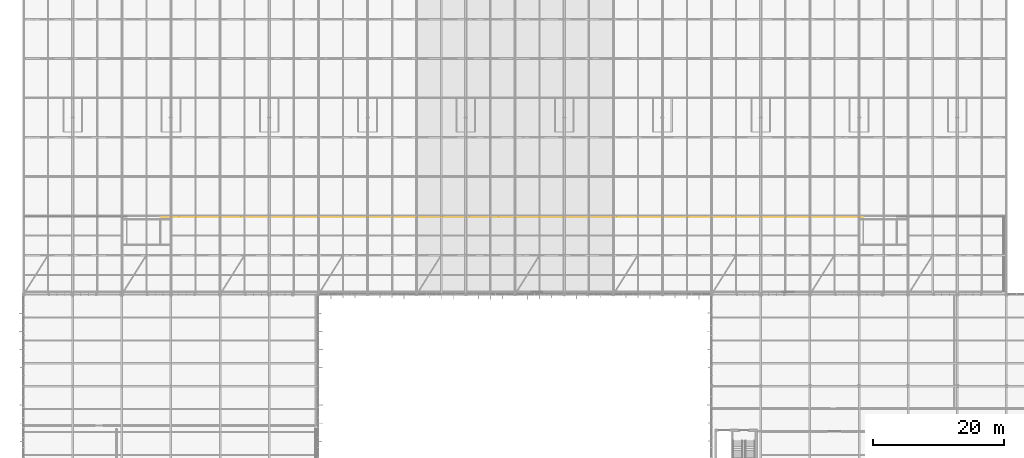
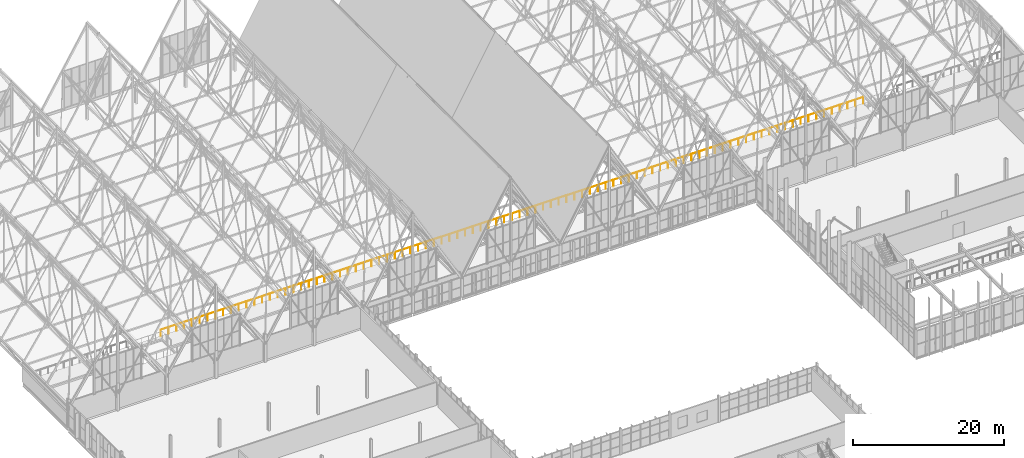
# One storey, part 320 of 324: 1 railing.
"""IFC4 building model written with IfcOpenShell, lengths in metres."""

from ifc_helpers import new_model, si_unit, direction, frame, origin, origin_2d, place, context, subcontext, project, spatial, circle, extrude, material, type_object, element, save


model = new_model("IFC4")

# Units and contexts
model_context = context("Model", 3, precision=1e-05, world=origin(), true_north=direction((0.0, 1.0)))
body_context = subcontext(model_context, "Body", "Model", "MODEL_VIEW")
ifc_project = project(units=[si_unit("LENGTHUNIT", "METRE"), si_unit("AREAUNIT", "SQUARE_METRE"), si_unit("VOLUMEUNIT", "CUBIC_METRE"), si_unit("PLANEANGLEUNIT", "RADIAN"), si_unit("MASSUNIT", "GRAM", prefix="KILO")], contexts=[model_context])

# Site, building, storey
site_placement = place(None, origin())
site = spatial("IfcSite", under=ifc_project, at=site_placement, CompositionType="ELEMENT")
building_placement = place(site_placement, origin())
building = spatial("IfcBuilding", under=site, at=building_placement, Name="Solvenia Promenade Tram Depot", CompositionType="ELEMENT")
storey_placement = place(building_placement, frame((0.0, 0.0, 4.5)))
storey = spatial("IfcBuildingStorey", under=building, at=storey_placement, Name="L01", CompositionType="ELEMENT", Elevation=4.5)

# Railing
ifc_material = material(Name="Anodized aluminium AW-6063 T6", Category="aluminium")
railing_type = type_object("IfcRailingType", Name="Guard-Terrace-1100", PredefinedType="GUARDRAIL", material=ifc_material)
railing_placement = place(storey_placement, frame((20.93994140625, 77.85009765625, 0.0)))
element("IfcRailing", 1, at=railing_placement, inside=storey, type_object=railing_type, Name="Safety Guardrail GR-WALK-V1-M", PredefinedType="GUARDRAIL", context=body_context, shape_type="SweptSolid", body=[
    extrude(circle(Radius=0.02392578125, at=origin_2d()), frame((0.0, 0.0, 1.09619140625), z_axis=(1.0, 0.0, 0.0), x_axis=(0.0, 1.0, 0.0)), (0.0, 0.0, 1.0), 107.2099609375),
    extrude(circle(Radius=0.02099609375, at=origin_2d()), origin(), (0.0, 0.0, 1.0), 1.072021484375),
    extrude(circle(Radius=0.02099609375, at=origin_2d()), frame((1.191162109375, 0.0, 0.0)), (0.0, 0.0, 1.0), 1.072021484375),
    extrude(circle(Radius=0.02099609375, at=origin_2d()), frame((2.38232421875, 0.0, 0.0)), (0.0, 0.0, 1.0), 1.072021484375),
    extrude(circle(Radius=0.02099609375, at=origin_2d()), frame((3.57373046875, 0.0, 0.0)), (0.0, 0.0, 1.0), 1.072021484375),
    extrude(circle(Radius=0.02099609375, at=origin_2d()), frame((4.764892578125, 0.0, 0.0)), (0.0, 0.0, 1.0), 1.072021484375),
    extrude(circle(Radius=0.02099609375, at=origin_2d()), frame((5.9560546875, 0.0, 0.0)), (0.0, 0.0, 1.0), 1.072021484375),
    extrude(circle(Radius=0.02099609375, at=origin_2d()), frame((7.147216796875, 0.0, 0.0)), (0.0, 0.0, 1.0), 1.072021484375),
    extrude(circle(Radius=0.02099609375, at=origin_2d()), frame((8.338623046875, 0.0, 0.0)), (0.0, 0.0, 1.0), 1.072021484375),
    extrude(circle(Radius=0.02099609375, at=origin_2d()), frame((9.52978515625, 0.0, 0.0)), (0.0, 0.0, 1.0), 1.072021484375),
    extrude(circle(Radius=0.02099609375, at=origin_2d()), frame((10.720947265625, 0.0, 0.0)), (0.0, 0.0, 1.0), 1.072021484375),
    extrude(circle(Radius=0.02099609375, at=origin_2d()), frame((11.912109375, 0.0, 0.0)), (0.0, 0.0, 1.0), 1.072021484375),
    extrude(circle(Radius=0.02099609375, at=origin_2d()), frame((13.103515625, 0.0, 0.0)), (0.0, 0.0, 1.0), 1.072021484375),
    extrude(circle(Radius=0.02099609375, at=origin_2d()), frame((14.294677734375, 0.0, 0.0)), (0.0, 0.0, 1.0), 1.072021484375),
    extrude(circle(Radius=0.02099609375, at=origin_2d()), frame((15.48583984375, 0.0, 0.0)), (0.0, 0.0, 1.0), 1.072021484375),
    extrude(circle(Radius=0.02099609375, at=origin_2d()), frame((16.677001953125, 0.0, 0.0)), (0.0, 0.0, 1.0), 1.072021484375),
    extrude(circle(Radius=0.02099609375, at=origin_2d()), frame((17.868408203125, 0.0, 0.0)), (0.0, 0.0, 1.0), 1.072021484375),
    extrude(circle(Radius=0.02099609375, at=origin_2d()), frame((19.0595703125, 0.0, 0.0)), (0.0, 0.0, 1.0), 1.072021484375),
    extrude(circle(Radius=0.02099609375, at=origin_2d()), frame((20.250732421875, 0.0, 0.0)), (0.0, 0.0, 1.0), 1.072021484375),
    extrude(circle(Radius=0.02099609375, at=origin_2d()), frame((21.44189453125, 0.0, 0.0)), (0.0, 0.0, 1.0), 1.072021484375),
    extrude(circle(Radius=0.02099609375, at=origin_2d()), frame((22.63330078125, 0.0, 0.0)), (0.0, 0.0, 1.0), 1.072021484375),
    extrude(circle(Radius=0.02099609375, at=origin_2d()), frame((23.824462890625, 0.0, 0.0)), (0.0, 0.0, 1.0), 1.072021484375),
    extrude(circle(Radius=0.02099609375, at=origin_2d()), frame((25.015625, 0.0, 0.0)), (0.0, 0.0, 1.0), 1.072021484375),
    extrude(circle(Radius=0.02099609375, at=origin_2d()), frame((26.206787109375, 0.0, 0.0)), (0.0, 0.0, 1.0), 1.072021484375),
    extrude(circle(Radius=0.02099609375, at=origin_2d()), frame((27.398193359375, 0.0, 0.0)), (0.0, 0.0, 1.0), 1.072021484375),
    extrude(circle(Radius=0.02099609375, at=origin_2d()), frame((28.58935546875, 0.0, 0.0)), (0.0, 0.0, 1.0), 1.072021484375),
    extrude(circle(Radius=0.02099609375, at=origin_2d()), frame((29.780517578125, 0.0, 0.0)), (0.0, 0.0, 1.0), 1.072021484375),
    extrude(circle(Radius=0.02099609375, at=origin_2d()), frame((30.9716796875, 0.0, 0.0)), (0.0, 0.0, 1.0), 1.072021484375),
    extrude(circle(Radius=0.02099609375, at=origin_2d()), frame((32.1630859375, 0.0, 0.0)), (0.0, 0.0, 1.0), 1.072021484375),
    extrude(circle(Radius=0.02099609375, at=origin_2d()), frame((33.354248046875, 0.0, 0.0)), (0.0, 0.0, 1.0), 1.072021484375),
    extrude(circle(Radius=0.02099609375, at=origin_2d()), frame((34.54541015625, 0.0, 0.0)), (0.0, 0.0, 1.0), 1.072021484375),
    extrude(circle(Radius=0.02099609375, at=origin_2d()), frame((35.736572265625, 0.0, 0.0)), (0.0, 0.0, 1.0), 1.072021484375),
    extrude(circle(Radius=0.02099609375, at=origin_2d()), frame((36.927978515625, 0.0, 0.0)), (0.0, 0.0, 1.0), 1.072021484375),
    extrude(circle(Radius=0.02099609375, at=origin_2d()), frame((38.119140625, 0.0, 0.0)), (0.0, 0.0, 1.0), 1.072021484375),
    extrude(circle(Radius=0.02099609375, at=origin_2d()), frame((39.310302734375, 0.0, 0.0)), (0.0, 0.0, 1.0), 1.072021484375),
    extrude(circle(Radius=0.02099609375, at=origin_2d()), frame((40.50146484375, 0.0, 0.0)), (0.0, 0.0, 1.0), 1.072021484375),
    extrude(circle(Radius=0.02099609375, at=origin_2d()), frame((41.69287109375, 0.0, 0.0)), (0.0, 0.0, 1.0), 1.072021484375),
    extrude(circle(Radius=0.02099609375, at=origin_2d()), frame((42.884033203125, 0.0, 0.0)), (0.0, 0.0, 1.0), 1.072021484375),
    extrude(circle(Radius=0.02099609375, at=origin_2d()), frame((44.0751953125, 0.0, 0.0)), (0.0, 0.0, 1.0), 1.072021484375),
    extrude(circle(Radius=0.02099609375, at=origin_2d()), frame((45.266357421875, 0.0, 0.0)), (0.0, 0.0, 1.0), 1.072021484375),
    extrude(circle(Radius=0.02099609375, at=origin_2d()), frame((46.457763671875, 0.0, 0.0)), (0.0, 0.0, 1.0), 1.072021484375),
    extrude(circle(Radius=0.02099609375, at=origin_2d()), frame((47.64892578125, 0.0, 0.0)), (0.0, 0.0, 1.0), 1.072021484375),
    extrude(circle(Radius=0.02099609375, at=origin_2d()), frame((48.840087890625, 0.0, 0.0)), (0.0, 0.0, 1.0), 1.072021484375),
    extrude(circle(Radius=0.02099609375, at=origin_2d()), frame((50.03125, 0.0, 0.0)), (0.0, 0.0, 1.0), 1.072021484375),
    extrude(circle(Radius=0.02099609375, at=origin_2d()), frame((51.22265625, 0.0, 0.0)), (0.0, 0.0, 1.0), 1.072021484375),
    extrude(circle(Radius=0.02099609375, at=origin_2d()), frame((52.413818359375, 0.0, 0.0)), (0.0, 0.0, 1.0), 1.072021484375),
    extrude(circle(Radius=0.02099609375, at=origin_2d()), frame((53.60498046875, 0.0, 0.0)), (0.0, 0.0, 1.0), 1.072021484375),
    extrude(circle(Radius=0.02099609375, at=origin_2d()), frame((54.796142578125, 0.0, 0.0)), (0.0, 0.0, 1.0), 1.072021484375),
    extrude(circle(Radius=0.02099609375, at=origin_2d()), frame((55.9873046875, 0.0, 0.0)), (0.0, 0.0, 1.0), 1.072021484375),
    extrude(circle(Radius=0.02099609375, at=origin_2d()), frame((57.1787109375, 0.0, 0.0)), (0.0, 0.0, 1.0), 1.072021484375),
    extrude(circle(Radius=0.02099609375, at=origin_2d()), frame((58.369873046875, 0.0, 0.0)), (0.0, 0.0, 1.0), 1.072021484375),
    extrude(circle(Radius=0.02099609375, at=origin_2d()), frame((59.56103515625, 0.0, 0.0)), (0.0, 0.0, 1.0), 1.072021484375),
    extrude(circle(Radius=0.02099609375, at=origin_2d()), frame((60.752197265625, 0.0, 0.0)), (0.0, 0.0, 1.0), 1.072021484375),
    extrude(circle(Radius=0.02099609375, at=origin_2d()), frame((61.943603515625, 0.0, 0.0)), (0.0, 0.0, 1.0), 1.072021484375),
    extrude(circle(Radius=0.02099609375, at=origin_2d()), frame((63.134765625, 0.0, 0.0)), (0.0, 0.0, 1.0), 1.072021484375),
    extrude(circle(Radius=0.02099609375, at=origin_2d()), frame((64.325927734375, 0.0, 0.0)), (0.0, 0.0, 1.0), 1.072021484375),
    extrude(circle(Radius=0.02099609375, at=origin_2d()), frame((65.51708984375, 0.0, 0.0)), (0.0, 0.0, 1.0), 1.072021484375),
    extrude(circle(Radius=0.02099609375, at=origin_2d()), frame((66.70849609375, 0.0, 0.0)), (0.0, 0.0, 1.0), 1.072021484375),
    extrude(circle(Radius=0.02099609375, at=origin_2d()), frame((67.899658203125, 0.0, 0.0)), (0.0, 0.0, 1.0), 1.072021484375),
    extrude(circle(Radius=0.02099609375, at=origin_2d()), frame((69.0908203125, 0.0, 0.0)), (0.0, 0.0, 1.0), 1.072021484375),
    extrude(circle(Radius=0.02099609375, at=origin_2d()), frame((70.281982421875, 0.0, 0.0)), (0.0, 0.0, 1.0), 1.072021484375),
    extrude(circle(Radius=0.02099609375, at=origin_2d()), frame((71.473388671875, 0.0, 0.0)), (0.0, 0.0, 1.0), 1.072021484375),
    extrude(circle(Radius=0.02099609375, at=origin_2d()), frame((72.66455078125, 0.0, 0.0)), (0.0, 0.0, 1.0), 1.072021484375),
    extrude(circle(Radius=0.02099609375, at=origin_2d()), frame((73.855712890625, 0.0, 0.0)), (0.0, 0.0, 1.0), 1.072021484375),
    extrude(circle(Radius=0.02099609375, at=origin_2d()), frame((75.046875, 0.0, 0.0)), (0.0, 0.0, 1.0), 1.072021484375),
    extrude(circle(Radius=0.02099609375, at=origin_2d()), frame((76.23828125, 0.0, 0.0)), (0.0, 0.0, 1.0), 1.072021484375),
    extrude(circle(Radius=0.02099609375, at=origin_2d()), frame((77.429443359375, 0.0, 0.0)), (0.0, 0.0, 1.0), 1.072021484375),
    extrude(circle(Radius=0.02099609375, at=origin_2d()), frame((78.62060546875, 0.0, 0.0)), (0.0, 0.0, 1.0), 1.072021484375),
    extrude(circle(Radius=0.02099609375, at=origin_2d()), frame((79.811767578125, 0.0, 0.0)), (0.0, 0.0, 1.0), 1.072021484375),
    extrude(circle(Radius=0.02099609375, at=origin_2d()), frame((81.003173828125, 0.0, 0.0)), (0.0, 0.0, 1.0), 1.072021484375),
    extrude(circle(Radius=0.02099609375, at=origin_2d()), frame((82.1943359375, 0.0, 0.0)), (0.0, 0.0, 1.0), 1.072021484375),
    extrude(circle(Radius=0.02099609375, at=origin_2d()), frame((83.385498046875, 0.0, 0.0)), (0.0, 0.0, 1.0), 1.072021484375),
    extrude(circle(Radius=0.02099609375, at=origin_2d()), frame((84.57666015625, 0.0, 0.0)), (0.0, 0.0, 1.0), 1.072021484375),
    extrude(circle(Radius=0.02099609375, at=origin_2d()), frame((85.76806640625, 0.0, 0.0)), (0.0, 0.0, 1.0), 1.072021484375),
    extrude(circle(Radius=0.02099609375, at=origin_2d()), frame((86.959228515625, 0.0, 0.0)), (0.0, 0.0, 1.0), 1.072021484375),
    extrude(circle(Radius=0.02099609375, at=origin_2d()), frame((88.150390625, 0.0, 0.0)), (0.0, 0.0, 1.0), 1.072021484375),
    extrude(circle(Radius=0.02099609375, at=origin_2d()), frame((89.341552734375, 0.0, 0.0)), (0.0, 0.0, 1.0), 1.072021484375),
    extrude(circle(Radius=0.02099609375, at=origin_2d()), frame((90.532958984375, 0.0, 0.0)), (0.0, 0.0, 1.0), 1.072021484375),
    extrude(circle(Radius=0.02099609375, at=origin_2d()), frame((91.72412109375, 0.0, 0.0)), (0.0, 0.0, 1.0), 1.072021484375),
    extrude(circle(Radius=0.02099609375, at=origin_2d()), frame((92.915283203125, 0.0, 0.0)), (0.0, 0.0, 1.0), 1.072021484375),
    extrude(circle(Radius=0.02099609375, at=origin_2d()), frame((94.1064453125, 0.0, 0.0)), (0.0, 0.0, 1.0), 1.072021484375),
    extrude(circle(Radius=0.02099609375, at=origin_2d()), frame((95.2978515625, 0.0, 0.0)), (0.0, 0.0, 1.0), 1.072021484375),
    extrude(circle(Radius=0.02099609375, at=origin_2d()), frame((96.489013671875, 0.0, 0.0)), (0.0, 0.0, 1.0), 1.072021484375),
    extrude(circle(Radius=0.02099609375, at=origin_2d()), frame((97.68017578125, 0.0, 0.0)), (0.0, 0.0, 1.0), 1.072021484375),
    extrude(circle(Radius=0.02099609375, at=origin_2d()), frame((98.871337890625, 0.0, 0.0)), (0.0, 0.0, 1.0), 1.072021484375),
    extrude(circle(Radius=0.02099609375, at=origin_2d()), frame((100.062744140625, 0.0, 0.0)), (0.0, 0.0, 1.0), 1.072021484375),
    extrude(circle(Radius=0.02099609375, at=origin_2d()), frame((101.25390625, 0.0, 0.0)), (0.0, 0.0, 1.0), 1.072021484375),
    extrude(circle(Radius=0.02099609375, at=origin_2d()), frame((102.445068359375, 0.0, 0.0)), (0.0, 0.0, 1.0), 1.072021484375),
    extrude(circle(Radius=0.02099609375, at=origin_2d()), frame((103.63623046875, 0.0, 0.0)), (0.0, 0.0, 1.0), 1.072021484375),
    extrude(circle(Radius=0.02099609375, at=origin_2d()), frame((104.82763671875, 0.0, 0.0)), (0.0, 0.0, 1.0), 1.072021484375),
    extrude(circle(Radius=0.02099609375, at=origin_2d()), frame((106.018798828125, 0.0, 0.0)), (0.0, 0.0, 1.0), 1.072021484375),
    extrude(circle(Radius=0.02099609375, at=origin_2d()), frame((107.2099609375, 0.0, 0.0)), (0.0, 0.0, 1.0), 1.072021484375),
])

save(model, "model.ifc")
